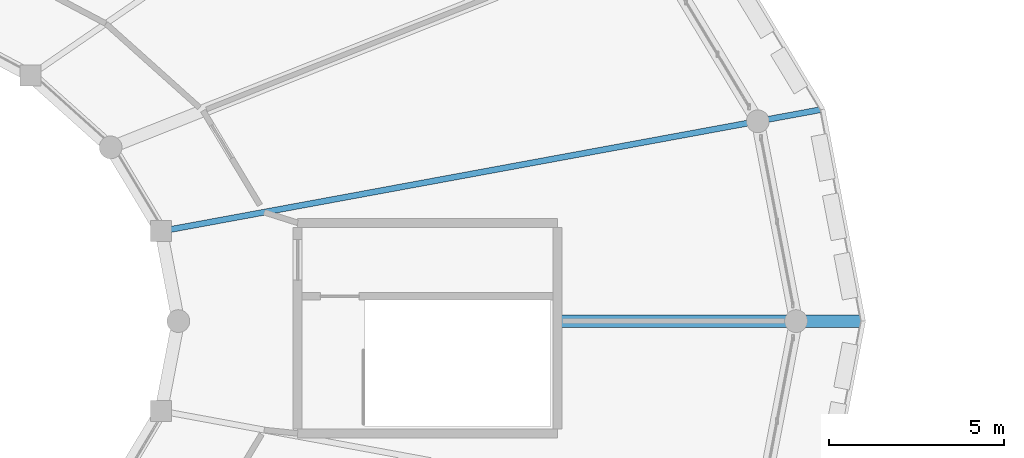
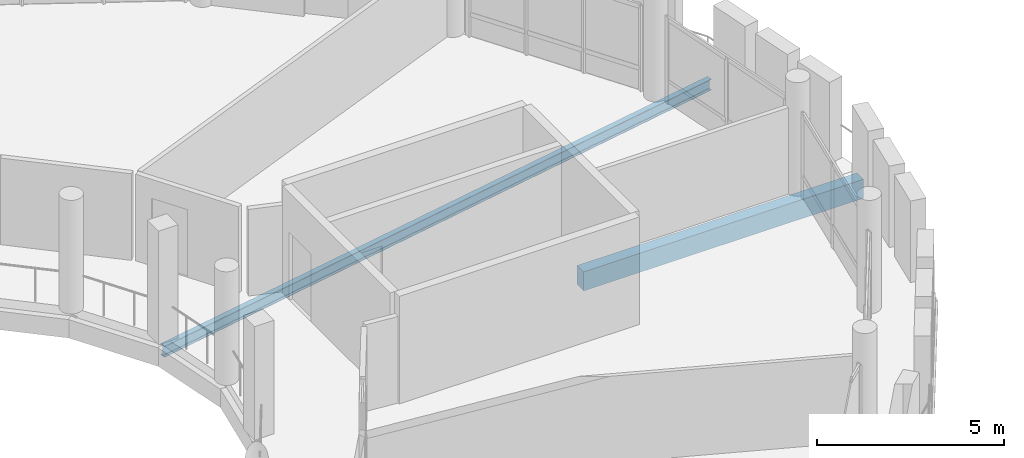
# One storey, part 37 of 84: 2 beams.
"""IFC4 building model written with IfcOpenShell, lengths in metres."""

from ifc_helpers import new_model, si_unit, direction, frame, origin, origin_2d, place, context, subcontext, project, spatial, rectangle, i_section, extrude, material, material_profile, profile_set, type_object, element, save


model = new_model("IFC4")

# Units and contexts
model_context = context("Model", 3, precision=1e-05, world=origin(), true_north=direction((0.0, 1.0)))
body_context = subcontext(model_context, "Body", "Model", "MODEL_VIEW")
ifc_project = project(units=[si_unit("LENGTHUNIT", "METRE"), si_unit("AREAUNIT", "SQUARE_METRE"), si_unit("VOLUMEUNIT", "CUBIC_METRE"), si_unit("PLANEANGLEUNIT", "RADIAN"), si_unit("MASSUNIT", "GRAM", prefix="KILO")], contexts=[model_context])

# Site, building, storey
site_placement = place(None, origin())
site = spatial("IfcSite", under=ifc_project, at=site_placement, CompositionType="ELEMENT")
building_placement = place(site_placement, origin())
building = spatial("IfcBuilding", under=site, at=building_placement, Name="Zornivar Specialist Clinic", CompositionType="ELEMENT")
storey_placement = place(building_placement, frame((0.0, 0.0, 12.300048828125)))
storey = spatial("IfcBuildingStorey", under=building, at=storey_placement, Name="L03", CompositionType="ELEMENT", Elevation=12.300048828125)

# Beams
ifc_material_1 = material(Name="Concrete C30/37", Category="concrete")
ifc_material_profile_1 = material_profile(ifc_material_1, rectangle(XDim=0.35009765625, YDim=0.6201171875, at=origin_2d()), Name="RC 350x620")
ifc_profile_set_1 = profile_set([ifc_material_profile_1], Name="Concrete C30/37")
beam_type_1 = type_object("IfcBeamType", Name="BM-RC-CANT-350x620", PredefinedType="BEAM", material=ifc_profile_set_1)
beam_1_placement = place(storey_placement, frame((118.89990234375, 57.60009765625, -0.550048828125), z_axis=(1.0, 0.0, 0.0), x_axis=(0.0, 1.0, 0.0)))
element("IfcBeam", 1, at=beam_1_placement, inside=storey, type_object=beam_type_1, Name="bm:V1:L03:radcant:00", PredefinedType="BEAM", context=body_context, shape_type="SweptSolid", body=[
    extrude(rectangle(XDim=0.35009765625, YDim=0.6201171875, at=origin_2d()), origin(), (0.0, 0.0, 1.0), 8.6201171875),
])
ifc_material_2 = material(Name="Steel S355J2", Category="steel")
ifc_material_profile_2 = material_profile(ifc_material_2, i_section(OverallWidth=0.169921875, OverallDepth=0.360107421875, WebThickness=0.008056640625, FlangeThickness=0.0126953125, FilletRadius=0.01806640625, at=origin_2d()), Name="IPE 360")
ifc_profile_set_2 = profile_set([ifc_material_profile_2], Name="Steel S355J2")
beam_type_2 = type_object("IfcBeamType", Name="BM-STL-IPE360", PredefinedType="BEAM", material=ifc_profile_set_2)
beam_2_placement = place(storey_placement, frame((107.509033203125, 60.162109375, -0.469970703125), z_axis=(0.983447695369, 0.18119224728, 0.0), x_axis=(-0.18119224728, 0.983447695369, 0.0)))
element("IfcBeam", 2, at=beam_2_placement, inside=storey, type_object=beam_type_2, Name="bm:V1:L03:radmid:01", PredefinedType="BEAM", context=body_context, shape_type="SweptSolid", body=[
    extrude(i_section(OverallWidth=0.169921875, OverallDepth=0.360107421875, WebThickness=0.008056640625, FlangeThickness=0.0126953125, FilletRadius=0.01806640625, at=origin_2d()), origin(), (0.0, 0.0, 1.0), 19.17236328125),
])

save(model, "model.ifc")
